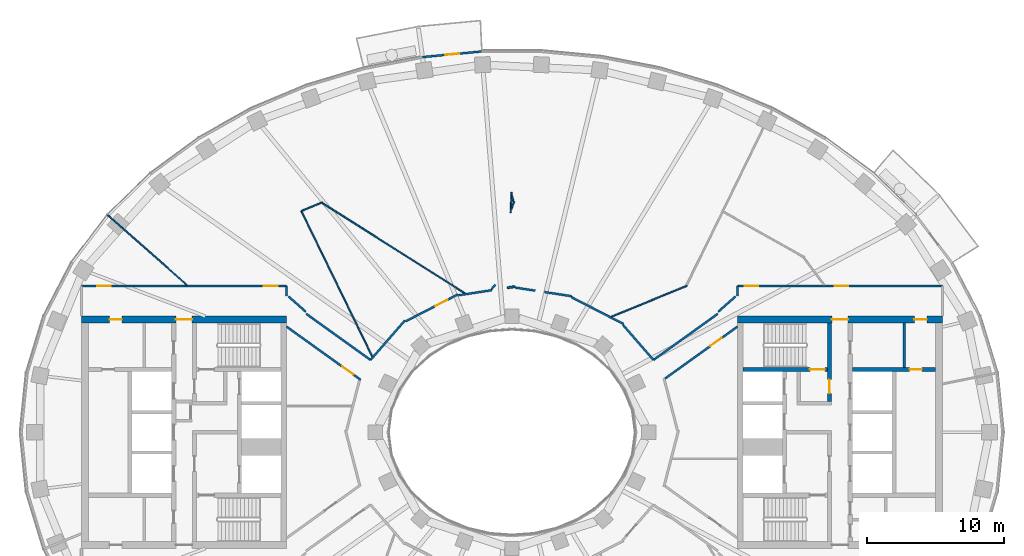
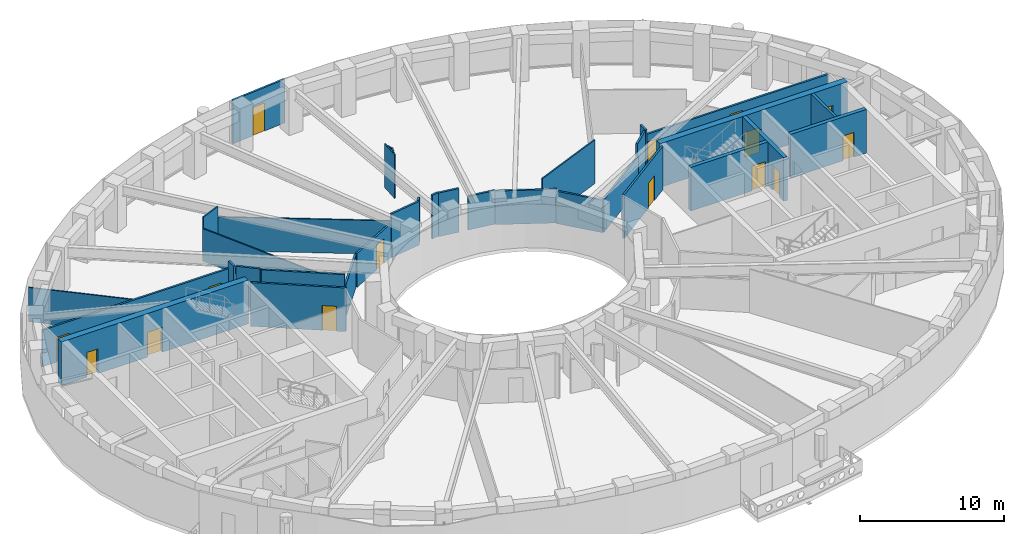
# One storey, part 6 of 16: 34 walls, 15 doors, 15 openings.
"""IFC4 building model written with IfcOpenShell, lengths in metres."""

from ifc_helpers import new_model, si_unit, direction, frame, frame_2d, origin, place, context, subcontext, project, spatial, rectangle, extrude, material, layer, layer_set, type_object, element, fill, save


model = new_model("IFC4")

# Units and contexts
model_context = context("Model", 3, precision=1e-05, world=origin(), true_north=direction((0.0, 1.0)))
body_context = subcontext(model_context, "Body", "Model", "MODEL_VIEW")
ifc_project = project(units=[si_unit("LENGTHUNIT", "METRE"), si_unit("AREAUNIT", "SQUARE_METRE"), si_unit("VOLUMEUNIT", "CUBIC_METRE"), si_unit("PLANEANGLEUNIT", "RADIAN"), si_unit("MASSUNIT", "GRAM", prefix="KILO")], contexts=[model_context])

# Site, building, storey
site_placement = place(None, origin())
site = spatial("IfcSite", under=ifc_project, at=site_placement, CompositionType="ELEMENT")
building_placement = place(site_placement, origin())
building = spatial("IfcBuilding", under=site, at=building_placement, Name="Noorbagh Ring Tower", CompositionType="ELEMENT")
storey_placement = place(building_placement, frame((0.0, 0.0, 186.0)))
storey = spatial("IfcBuildingStorey", under=building, at=storey_placement, Name="L43", CompositionType="ELEMENT", Elevation=186.0)

# Wall
ifc_material_1 = material(Name="Gypsum board on steel studs", Category="steel")
ifc_layer_1 = layer(ifc_material_1, 0.199951171875)
ifc_layer_set_1 = layer_set([ifc_layer_1], Name="Gypsum board on steel studs")
wall_type_1 = type_object("IfcWallType", Name="CORE-PARTITION-200", PredefinedType="PARTITIONING", material=ifc_layer_set_1)
wall_1_placement = place(storey_placement, frame((28.699951171875, 4.75, 0.0), z_axis=(0.0, 0.0, 1.0), x_axis=(0.0, 1.0, 0.0)))
element("IfcWall", 1, at=wall_1_placement, inside=storey, type_object=wall_type_1, Name="Core partition E", PredefinedType="PARTITIONING", context=body_context, shape_type="SweptSolid", body=[
    extrude(rectangle(XDim=3.25, YDim=0.199951171875, at=frame_2d((1.625, 0.0))), origin(), (0.0, 0.0, 1.0), 3.699951171875),
])

# Wall, opening, door
ifc_material_2 = material(Name="Concrete C60/75", Category="concrete")
ifc_layer_2 = layer(ifc_material_2, 0.300048828125)
ifc_layer_set_2 = layer_set([ifc_layer_2], Name="Concrete C60/75")
wall_type_2 = type_object("IfcWallType", Name="CORE-WALL-300-C60-75-EI240", PredefinedType="SHEAR", material=ifc_layer_set_2)
wall_2_placement = place(storey_placement, frame((24.89990234375, 4.60009765625, 0.0), z_axis=(0.0, 0.0, 1.0), x_axis=(1.0, 0.0, 0.0)))
wall_2 = element("IfcWall", 2, at=wall_2_placement, inside=storey, type_object=wall_type_2, Name="Core wall E", PredefinedType="SHEAR", context=body_context, shape_type="SweptSolid", body=[
    extrude(rectangle(XDim=6.10009765625, YDim=0.300048828125, at=frame_2d((3.050048828125, 0.0))), origin(), (0.0, 0.0, 1.0), 3.699951171875),
])
opening_1_placement = place(wall_2_placement, frame((4.199951171875, 0.0, 0.0)))
opening_1 = element("IfcOpeningElement", 3, at=opening_1_placement, cuts=wall_2, Name="Opening L43-CE18", PredefinedType="OPENING", context=body_context, shape_type="SweptSolid", body=[
    extrude(rectangle(XDim=0.89990234375, YDim=2.10009765625, at=frame_2d((0.449951171875, 1.050048828125))), frame((0.0, 0.16015625, 0.0), z_axis=(0.0, -1.0, 0.0), x_axis=(1.0, 0.0, 0.0)), (0.0, 0.0, 1.0), 0.320068359375),
])
ifc_material_3 = material(Name="Steel door leaf", Category="steel")
door_type_1 = type_object("IfcDoorType", Name="CORE-DOOR-DROOM", OperationType="SINGLE_SWING_LEFT", PredefinedType="DOOR", material=ifc_material_3)
door_1_placement = place(opening_1_placement, origin())
door_1 = element("IfcDoor", 4, at=door_1_placement, inside=storey, type_object=door_type_1, Name="Core room door L43-CE18", OperationType="SINGLE_SWING_RIGHT", OverallHeight=2.10009765625, OverallWidth=0.89990234375, PredefinedType="DOOR", context=body_context, shape_type="SweptSolid", body=[
    extrude(rectangle(XDim=0.89990234375, YDim=2.10009765625, at=frame_2d((0.449951171875, 1.050048828125))), frame((0.0, 0.02490234375, 0.0), z_axis=(0.0, -1.0, 0.0), x_axis=(1.0, 0.0, 0.0)), (0.0, 0.0, 1.0), 0.050048828125),
])
fill(opening_1, door_1)

wall_3_placement = place(storey_placement, frame((23.22998046875, 2.25, 0.0), z_axis=(0.0, 0.0, 1.0), x_axis=(0.0, 1.0, 0.0)))
wall_3 = element("IfcWall", 5, at=wall_3_placement, inside=storey, type_object=wall_type_2, Name="Core wall E", PredefinedType="SHEAR", context=body_context, shape_type="SweptSolid", body=[
    extrude(rectangle(XDim=5.75, YDim=0.300048828125, at=frame_2d((2.875, 0.0))), origin(), (0.0, 0.0, 1.0), 3.699951171875),
])
opening_2_placement = place(wall_3_placement, frame((0.60009765625, 0.0, 0.0)))
opening_2 = element("IfcOpeningElement", 6, at=opening_2_placement, cuts=wall_3, Name="Opening L43-CE10", PredefinedType="OPENING", context=body_context, shape_type="SweptSolid", body=[
    extrude(rectangle(XDim=1.0, YDim=2.10009765625, at=frame_2d((0.5, 1.050048828125))), frame((0.0, 0.16015625, 0.0), z_axis=(0.0, -1.0, 0.0), x_axis=(1.0, 0.0, 0.0)), (0.0, 0.0, 1.0), 0.320068359375),
])
ifc_material_4 = material(Name="Steel door leaf", Category="steel")
door_type_2 = type_object("IfcDoorType", Name="CORE-DOOR-DVEST", OperationType="SINGLE_SWING_LEFT", PredefinedType="DOOR", material=ifc_material_4)
door_2_placement = place(opening_2_placement, origin())
door_2 = element("IfcDoor", 7, at=door_2_placement, inside=storey, type_object=door_type_2, Name="Stair vestibule door L43-CE10", OperationType="SINGLE_SWING_RIGHT", OverallHeight=2.10009765625, OverallWidth=1.0, PredefinedType="DOOR", context=body_context, shape_type="SweptSolid", body=[
    extrude(rectangle(XDim=1.0, YDim=2.10009765625, at=frame_2d((0.5, 1.050048828125))), frame((0.0, 0.02490234375, 0.0), z_axis=(0.0, -1.0, 0.0), x_axis=(1.0, 0.0, 0.0)), (0.0, 0.0, 1.0), 0.050048828125),
])
fill(opening_2, door_2)

wall_4_placement = place(storey_placement, frame((16.89990234375, 4.60009765625, 0.0), z_axis=(0.0, 0.0, 1.0), x_axis=(1.0, 0.0, 0.0)))
wall_4 = element("IfcWall", 8, at=wall_4_placement, inside=storey, type_object=wall_type_2, Name="Core wall E", PredefinedType="SHEAR", context=body_context, shape_type="SweptSolid", body=[
    extrude(rectangle(XDim=6.18017578125, YDim=0.300048828125, at=frame_2d((3.090087890625, 0.0))), origin(), (0.0, 0.0, 1.0), 3.699951171875),
])
opening_3_placement = place(wall_4_placement, frame((4.89990234375, 0.0, 0.0)))
opening_3 = element("IfcOpeningElement", 9, at=opening_3_placement, cuts=wall_4, Name="Opening L43-CE07", PredefinedType="OPENING", context=body_context, shape_type="SweptSolid", body=[
    extrude(rectangle(XDim=1.10009765625, YDim=2.10009765625, at=frame_2d((0.550048828125, 1.050048828125))), frame((0.0, 0.16015625, 0.0), z_axis=(0.0, -1.0, 0.0), x_axis=(1.0, 0.0, 0.0)), (0.0, 0.0, 1.0), 0.320068359375),
])
ifc_material_5 = material(Name="Steel door leaf", Category="steel")
door_type_3 = type_object("IfcDoorType", Name="CORE-DOOR-DSTAIR", OperationType="SINGLE_SWING_LEFT", PredefinedType="DOOR", material=ifc_material_5)
door_3_placement = place(opening_3_placement, origin())
door_3 = element("IfcDoor", 10, at=door_3_placement, inside=storey, type_object=door_type_3, Name="Stair door ST3 L43-CE07", OperationType="SINGLE_SWING_LEFT", OverallHeight=2.10009765625, OverallWidth=1.10009765625, PredefinedType="DOOR", context=body_context, shape_type="SweptSolid", body=[
    extrude(rectangle(XDim=1.10009765625, YDim=2.10009765625, at=frame_2d((0.550048828125, 1.050048828125))), frame((0.0, 0.02490234375, 0.0), z_axis=(0.0, -1.0, 0.0), x_axis=(1.0, 0.0, 0.0)), (0.0, 0.0, 1.0), 0.050048828125),
])
fill(opening_3, door_3)

# Wall, openings, doors
ifc_material_6 = material(Name="Concrete C60/75", Category="concrete")
ifc_layer_3 = layer(ifc_material_6, 0.5)
ifc_layer_set_3 = layer_set([ifc_layer_3], Name="Concrete C60/75")
wall_type_3 = type_object("IfcWallType", Name="CORE-WALL-500-C60-75-EI240", PredefinedType="SHEAR", material=ifc_layer_set_3)
wall_5_placement = place(storey_placement, frame((-16.5, 8.25, 0.0), z_axis=(0.0, 0.0, 1.0), x_axis=(-1.0, 0.0, 0.0)))
wall_5 = element("IfcWall", 11, at=wall_5_placement, inside=storey, type_object=wall_type_3, Name="Core wall W", PredefinedType="SHEAR", context=body_context, shape_type="SweptSolid", body=[
    extrude(rectangle(XDim=15.0, YDim=0.5, at=frame_2d((7.5, 0.0))), origin(), (0.0, 0.0, 1.0), 3.699951171875),
])
opening_4_placement = place(wall_5_placement, frame((6.89990234375, 0.0, 0.0)))
opening_4 = element("IfcOpeningElement", 12, at=opening_4_placement, cuts=wall_5, Name="Opening L43-CW10", PredefinedType="OPENING", context=body_context, shape_type="SweptSolid", body=[
    extrude(rectangle(XDim=1.199951171875, YDim=2.10009765625, at=frame_2d((0.60009765625, 1.050048828125))), frame((0.0, 0.260009765625, 0.0), z_axis=(0.0, -1.0, 0.0), x_axis=(1.0, 0.0, 0.0)), (0.0, 0.0, 1.0), 0.52001953125),
])
opening_5_placement = place(wall_5_placement, frame((12.050048828125, 0.0, 0.0)))
opening_5 = element("IfcOpeningElement", 13, at=opening_5_placement, cuts=wall_5, Name="Opening L43-CW13", PredefinedType="OPENING", context=body_context, shape_type="SweptSolid", body=[
    extrude(rectangle(XDim=0.89990234375, YDim=2.10009765625, at=frame_2d((0.449951171875, 1.050048828125))), frame((0.0, 0.260009765625, 0.0), z_axis=(0.0, -1.0, 0.0), x_axis=(1.0, 0.0, 0.0)), (0.0, 0.0, 1.0), 0.52001953125),
])
door_4_placement = place(opening_5_placement, origin())
door_4 = element("IfcDoor", 14, at=door_4_placement, inside=storey, type_object=door_type_1, Name="Core room door L43-CW13", OperationType="SINGLE_SWING_RIGHT", OverallHeight=2.10009765625, OverallWidth=0.89990234375, PredefinedType="DOOR", context=body_context, shape_type="SweptSolid", body=[
    extrude(rectangle(XDim=0.89990234375, YDim=2.10009765625, at=frame_2d((0.449951171875, 1.050048828125))), frame((0.0, 0.02490234375, 0.0), z_axis=(0.0, -1.0, 0.0), x_axis=(1.0, 0.0, 0.0)), (0.0, 0.0, 1.0), 0.050048828125),
])
fill(opening_5, door_4)
ifc_material_7 = material(Name="Steel door leaf", Category="steel")
door_type_4 = type_object("IfcDoorType", Name="CORE-DOOR-PORT", OperationType="DOUBLE_DOOR_DOUBLE_SWING", PredefinedType="DOOR", material=ifc_material_7)
door_5_placement = place(opening_4_placement, origin())
door_5 = element("IfcDoor", 15, at=door_5_placement, inside=storey, type_object=door_type_4, Name="Core entrance door L43-CW10", OperationType="DOUBLE_DOOR_DOUBLE_SWING", OverallHeight=2.10009765625, OverallWidth=1.199951171875, PredefinedType="DOOR", context=body_context, shape_type="SweptSolid", body=[
    extrude(rectangle(XDim=1.199951171875, YDim=2.10009765625, at=frame_2d((0.60009765625, 1.050048828125))), frame((0.0, 0.02490234375, 0.0), z_axis=(0.0, -1.0, 0.0), x_axis=(1.0, 0.0, 0.0)), (0.0, 0.0, 1.0), 0.050048828125),
])
fill(opening_4, door_5)

wall_6_placement = place(storey_placement, frame((16.5, 8.25, 0.0), z_axis=(0.0, 0.0, 1.0), x_axis=(1.0, 0.0, 0.0)))
wall_6 = element("IfcWall", 16, at=wall_6_placement, inside=storey, type_object=wall_type_3, Name="Core wall E", PredefinedType="SHEAR", context=body_context, shape_type="SweptSolid", body=[
    extrude(rectangle(XDim=15.0, YDim=0.5, at=frame_2d((7.5, 0.0))), origin(), (0.0, 0.0, 1.0), 3.699951171875),
])
opening_6_placement = place(wall_6_placement, frame((6.89990234375, 0.0, 0.0)))
opening_6 = element("IfcOpeningElement", 17, at=opening_6_placement, cuts=wall_6, Name="Opening L43-CE11", PredefinedType="OPENING", context=body_context, shape_type="SweptSolid", body=[
    extrude(rectangle(XDim=1.199951171875, YDim=2.10009765625, at=frame_2d((0.60009765625, 1.050048828125))), frame((0.0, 0.260009765625, 0.0), z_axis=(0.0, -1.0, 0.0), x_axis=(1.0, 0.0, 0.0)), (0.0, 0.0, 1.0), 0.52001953125),
])
opening_7_placement = place(wall_6_placement, frame((12.949951171875, 0.0, 0.0)))
opening_7 = element("IfcOpeningElement", 18, at=opening_7_placement, cuts=wall_6, Name="Opening L43-CE14", PredefinedType="OPENING", context=body_context, shape_type="SweptSolid", body=[
    extrude(rectangle(XDim=0.89990234375, YDim=2.10009765625, at=frame_2d((0.449951171875, 1.050048828125))), frame((0.0, 0.260009765625, 0.0), z_axis=(0.0, -1.0, 0.0), x_axis=(1.0, 0.0, 0.0)), (0.0, 0.0, 1.0), 0.52001953125),
])
door_6_placement = place(opening_7_placement, origin())
door_6 = element("IfcDoor", 19, at=door_6_placement, inside=storey, type_object=door_type_1, Name="Core room door L43-CE14", OperationType="SINGLE_SWING_LEFT", OverallHeight=2.10009765625, OverallWidth=0.89990234375, PredefinedType="DOOR", context=body_context, shape_type="SweptSolid", body=[
    extrude(rectangle(XDim=0.89990234375, YDim=2.10009765625, at=frame_2d((0.449951171875, 1.050048828125))), frame((0.0, 0.02490234375, 0.0), z_axis=(0.0, -1.0, 0.0), x_axis=(1.0, 0.0, 0.0)), (0.0, 0.0, 1.0), 0.050048828125),
])
fill(opening_7, door_6)
door_7_placement = place(opening_6_placement, origin())
door_7 = element("IfcDoor", 20, at=door_7_placement, inside=storey, type_object=door_type_4, Name="Core entrance door L43-CE11", OperationType="DOUBLE_DOOR_DOUBLE_SWING", OverallHeight=2.10009765625, OverallWidth=1.199951171875, PredefinedType="DOOR", context=body_context, shape_type="SweptSolid", body=[
    extrude(rectangle(XDim=1.199951171875, YDim=2.10009765625, at=frame_2d((0.60009765625, 1.050048828125))), frame((0.0, 0.02490234375, 0.0), z_axis=(0.0, -1.0, 0.0), x_axis=(1.0, 0.0, 0.0)), (0.0, 0.0, 1.0), 0.050048828125),
])
fill(opening_6, door_7)

ifc_material_8 = material(Name="Gypsum board on steel studs", Category="steel")
ifc_layer_4 = layer(ifc_material_8, 0.14990234375)
ifc_layer_set_4 = layer_set([ifc_layer_4], Name="Gypsum board on steel studs")
wall_type_4 = type_object("IfcWallType", Name="CORRIDOR PARTITION 150 EI 30", PredefinedType="PARTITIONING", material=ifc_layer_set_4)
wall_7_placement = place(storey_placement, frame((-31.5, 10.699951171875, 0.0), z_axis=(0.0, 0.0, 1.0), x_axis=(1.0, 0.0, 0.0)))
wall_7 = element("IfcWall", 21, at=wall_7_placement, inside=storey, type_object=wall_type_4, Name="L43/wall/P06", PredefinedType="PARTITIONING", context=body_context, shape_type="SweptSolid", body=[
    extrude(rectangle(XDim=15.0, YDim=0.14990234375, at=frame_2d((7.5, 0.0))), origin(), (0.0, 0.0, 1.0), 3.10009765625),
])
opening_8_placement = place(wall_7_placement, frame((1.153076171875, 0.0, 0.0)))
opening_8 = element("IfcOpeningElement", 22, at=opening_8_placement, cuts=wall_7, Name="Opening D1", PredefinedType="OPENING", context=body_context, shape_type="SweptSolid", body=[
    extrude(rectangle(XDim=1.0, YDim=2.10009765625, at=frame_2d((0.5, 1.050048828125))), frame((0.0, 0.0849609375, 0.0), z_axis=(0.0, -1.0, 0.0), x_axis=(1.0, 0.0, 0.0)), (0.0, 0.0, 1.0), 0.169921875),
])
opening_9_placement = place(wall_7_placement, frame((13.35009765625, 0.0, 0.0)))
opening_9 = element("IfcOpeningElement", 23, at=opening_9_placement, cuts=wall_7, Name="Opening D1", PredefinedType="OPENING", context=body_context, shape_type="SweptSolid", body=[
    extrude(rectangle(XDim=1.0, YDim=2.10009765625, at=frame_2d((0.5, 1.050048828125))), frame((0.0, 0.0849609375, 0.0), z_axis=(0.0, -1.0, 0.0), x_axis=(1.0, 0.0, 0.0)), (0.0, 0.0, 1.0), 0.169921875),
])
ifc_material_9 = material(Name="Timber, painted", Category="wood")
door_type_5 = type_object("IfcDoorType", Name="DOOR 1000 X 2100 FD30", OperationType="SINGLE_SWING_LEFT", PredefinedType="DOOR", material=ifc_material_9)
door_8_placement = place(opening_8_placement, origin())
door_8 = element("IfcDoor", 24, at=door_8_placement, inside=storey, type_object=door_type_5, Name="L43-D06", OperationType="SINGLE_SWING_RIGHT", OverallHeight=2.10009765625, OverallWidth=1.0, PredefinedType="DOOR", context=body_context, shape_type="SweptSolid", body=[
    extrude(rectangle(XDim=1.0, YDim=2.10009765625, at=frame_2d((0.5, 1.050048828125))), frame((0.0, 0.02490234375, 0.0), z_axis=(0.0, -1.0, 0.0), x_axis=(1.0, 0.0, 0.0)), (0.0, 0.0, 1.0), 0.050048828125),
])
fill(opening_8, door_8)
door_9_placement = place(opening_9_placement, origin())
door_9 = element("IfcDoor", 25, at=door_9_placement, inside=storey, type_object=door_type_5, Name="L43-D07", OperationType="SINGLE_SWING_LEFT", OverallHeight=2.10009765625, OverallWidth=1.0, PredefinedType="DOOR", context=body_context, shape_type="SweptSolid", body=[
    extrude(rectangle(XDim=1.0, YDim=2.10009765625, at=frame_2d((0.5, 1.050048828125))), frame((0.0, 0.02490234375, 0.0), z_axis=(0.0, -1.0, 0.0), x_axis=(1.0, 0.0, 0.0)), (0.0, 0.0, 1.0), 0.050048828125),
])
fill(opening_9, door_9)

# Wall
wall_8_placement = place(storey_placement, frame((-16.5, 9.964111328125, 0.0), z_axis=(0.0, 0.0, 1.0), x_axis=(0.0, 1.0, 0.0)))
element("IfcWall", 26, at=wall_8_placement, inside=storey, type_object=wall_type_4, Name="L43/wall/P21", PredefinedType="PARTITIONING", context=body_context, shape_type="SweptSolid", body=[
    extrude(rectangle(XDim=0.73583984375, YDim=0.14990234375, at=frame_2d((0.367919921875, 0.0))), origin(), (0.0, 0.0, 1.0), 3.699951171875),
])

# Wall, opening, door
wall_9_placement = place(storey_placement, frame((-16.5, 7.739013671875, 0.0), z_axis=(0.0, 0.0, 1.0), x_axis=(0.812415179651, -0.583079390712, 0.0)))
wall_9 = element("IfcWall", 27, at=wall_9_placement, inside=storey, type_object=wall_type_4, Name="L43/wall/P23", PredefinedType="PARTITIONING", context=body_context, shape_type="SweptSolid", body=[
    extrude(rectangle(XDim=6.68017578125, YDim=0.14990234375, at=frame_2d((3.340087890625, 0.0))), origin(), (0.0, 0.0, 1.0), 3.699951171875),
])
opening_10_placement = place(wall_9_placement, frame((5.019287109375, 0.0, 0.0)))
opening_10 = element("IfcOpeningElement", 28, at=opening_10_placement, cuts=wall_9, Name="Opening D1", PredefinedType="OPENING", context=body_context, shape_type="SweptSolid", body=[
    extrude(rectangle(XDim=1.0, YDim=2.10009765625, at=frame_2d((0.5, 1.050048828125))), frame((0.0, 0.0849609375, 0.0), z_axis=(0.0, -1.0, 0.0), x_axis=(1.0, 0.0, 0.0)), (0.0, 0.0, 1.0), 0.169921875),
])
door_10_placement = place(opening_10_placement, origin())
door_10 = element("IfcDoor", 29, at=door_10_placement, inside=storey, type_object=door_type_5, Name="L43-D18", OperationType="SINGLE_SWING_RIGHT", OverallHeight=2.10009765625, OverallWidth=1.0, PredefinedType="DOOR", context=body_context, shape_type="SweptSolid", body=[
    extrude(rectangle(XDim=1.0, YDim=2.10009765625, at=frame_2d((0.5, 1.050048828125))), frame((0.0, 0.02490234375, 0.0), z_axis=(0.0, -1.0, 0.0), x_axis=(1.0, 0.0, 0.0)), (0.0, 0.0, 1.0), 0.050048828125),
])
fill(opening_10, door_10)

# Walls
wall_10_placement = place(storey_placement, frame((-15.06201171875, 8.676025390625, 0.0), z_axis=(0.0, 0.0, 1.0), x_axis=(0.812494026232, -0.582969516645, 0.0)))
element("IfcWall", 30, at=wall_10_placement, inside=storey, type_object=wall_type_4, Name="L43/wall/P27", PredefinedType="PARTITIONING", context=body_context, shape_type="SweptSolid", body=[
    extrude(rectangle(XDim=5.798095703125, YDim=0.14990234375, at=frame_2d((2.89892578125, 0.0))), origin(), (0.0, 0.0, 1.0), 3.699951171875),
])
wall_11_placement = place(storey_placement, frame((-10.35107421875, 5.2958984375, 0.0), z_axis=(0.0, 0.0, 1.0), x_axis=(0.656297424411, 0.754502280124, 0.0)))
element("IfcWall", 31, at=wall_11_placement, inside=storey, type_object=wall_type_4, Name="L43/wall/P33", PredefinedType="PARTITIONING", context=body_context, shape_type="SweptSolid", body=[
    extrude(rectangle(XDim=3.818603515625, YDim=0.14990234375, at=frame_2d((1.9091796875, 0.0))), origin(), (0.0, 0.0, 1.0), 2.75),
])

# Wall, opening, door
wall_12_placement = place(storey_placement, frame((-7.798095703125, 8.115966796875, 0.0), z_axis=(0.0, 0.0, 1.0), x_axis=(0.889319313061, 0.457286736542, 0.0)))
wall_12 = element("IfcWall", 32, at=wall_12_placement, inside=storey, type_object=wall_type_4, Name="L43/wall/P35", PredefinedType="PARTITIONING", context=body_context, shape_type="SweptSolid", body=[
    extrude(rectangle(XDim=4.3212890625, YDim=0.14990234375, at=frame_2d((2.16064453125, 0.0))), origin(), (0.0, 0.0, 1.0), 2.85009765625),
])
opening_11_placement = place(wall_12_placement, frame((2.45654296875, 0.0, 0.0)))
opening_11 = element("IfcOpeningElement", 33, at=opening_11_placement, cuts=wall_12, Name="Opening D1", PredefinedType="OPENING", context=body_context, shape_type="SweptSolid", body=[
    extrude(rectangle(XDim=1.0, YDim=2.10009765625, at=frame_2d((0.5, 1.050048828125))), frame((0.0, 0.0849609375, 0.0), z_axis=(0.0, -1.0, 0.0), x_axis=(1.0, 0.0, 0.0)), (0.0, 0.0, 1.0), 0.169921875),
])
door_11_placement = place(opening_11_placement, origin())
door_11 = element("IfcDoor", 34, at=door_11_placement, inside=storey, type_object=door_type_5, Name="L43-D09", OperationType="SINGLE_SWING_LEFT", OverallHeight=2.10009765625, OverallWidth=1.0, PredefinedType="DOOR", context=body_context, shape_type="SweptSolid", body=[
    extrude(rectangle(XDim=1.0, YDim=2.10009765625, at=frame_2d((0.5, 1.050048828125))), frame((0.0, 0.02490234375, 0.0), z_axis=(0.0, -1.0, 0.0), x_axis=(1.0, 0.0, 0.0)), (0.0, 0.0, 1.0), 0.050048828125),
])
fill(opening_11, door_11)

# Walls
wall_13_placement = place(storey_placement, frame((-3.93408203125, 10.02587890625, 0.0), z_axis=(0.0, 0.0, 1.0), x_axis=(0.988472049128, 0.151403461297, 0.0)))
element("IfcWall", 35, at=wall_13_placement, inside=storey, type_object=wall_type_4, Name="L43/wall/P37", PredefinedType="PARTITIONING", context=body_context, shape_type="SweptSolid", body=[
    extrude(rectangle(XDim=2.497802734375, YDim=0.14990234375, at=frame_2d((1.2490234375, 0.0))), origin(), (0.0, 0.0, 1.0), 3.699951171875),
])
wall_14_placement = place(storey_placement, frame((-1.50390625, 10.47412109375, 0.0), z_axis=(0.0, 0.0, 1.0), x_axis=(0.646114775059, 0.763240261942, 0.0)))
element("IfcWall", 36, at=wall_14_placement, inside=storey, type_object=wall_type_4, Name="L43/wall/P39", PredefinedType="PARTITIONING", context=body_context, shape_type="SweptSolid", body=[
    extrude(rectangle(XDim=0.444091796875, YDim=0.14990234375, at=frame_2d((0.22216796875, 0.0))), origin(), (0.0, 0.0, 1.0), 3.699951171875),
])
wall_15_placement = place(storey_placement, frame((-0.339111328125, 10.576904296875, 0.0), z_axis=(0.0, 0.0, 1.0), x_axis=(0.988583405182, 0.150674652806, 0.0)))
element("IfcWall", 37, at=wall_15_placement, inside=storey, type_object=wall_type_4, Name="L43/wall/P41", PredefinedType="PARTITIONING", context=body_context, shape_type="SweptSolid", body=[
    extrude(rectangle(XDim=0.557373046875, YDim=0.14990234375, at=frame_2d((0.27880859375, 0.0))), origin(), (0.0, 0.0, 1.0), 3.699951171875),
])
wall_16_placement = place(storey_placement, frame((0.2119140625, 10.596923828125, 0.0), z_axis=(0.0, 0.0, 1.0), x_axis=(0.988394154216, -0.15191114479, 0.0)))
element("IfcWall", 38, at=wall_16_placement, inside=storey, type_object=wall_type_4, Name="L43/wall/P46", PredefinedType="PARTITIONING", context=body_context, shape_type="SweptSolid", body=[
    extrude(rectangle(XDim=1.507568359375, YDim=0.14990234375, at=frame_2d((0.75390625, 0.0))), origin(), (0.0, 0.0, 1.0), 3.699951171875),
])
wall_17_placement = place(storey_placement, frame((2.376953125, 10.264892578125, 0.0), z_axis=(0.0, 0.0, 1.0), x_axis=(0.988505113573, -0.151187434797, 0.0)))
element("IfcWall", 39, at=wall_17_placement, inside=storey, type_object=wall_type_4, Name="L43/wall/P49", PredefinedType="PARTITIONING", context=body_context, shape_type="SweptSolid", body=[
    extrude(rectangle(XDim=2.00390625, YDim=0.14990234375, at=frame_2d((1.001953125, 0.0))), origin(), (0.0, 0.0, 1.0), 2.85009765625),
])
wall_18_placement = place(storey_placement, frame((4.3369140625, 9.89599609375, 0.0), z_axis=(0.0, 0.0, 1.0), x_axis=(0.889382211946, -0.457164391739, 0.0)))
element("IfcWall", 40, at=wall_18_placement, inside=storey, type_object=wall_type_4, Name="L43/wall/P52", PredefinedType="PARTITIONING", context=body_context, shape_type="SweptSolid", body=[
    extrude(rectangle(XDim=4.29638671875, YDim=0.14990234375, at=frame_2d((2.148193359375, 0.0))), origin(), (0.0, 0.0, 1.0), 2.85009765625),
])
wall_19_placement = place(storey_placement, frame((8.111083984375, 7.87109375, 0.0), z_axis=(0.0, 0.0, 1.0), x_axis=(0.656293818527, -0.754505416656, 0.0)))
element("IfcWall", 41, at=wall_19_placement, inside=storey, type_object=wall_type_4, Name="L43/wall/P56", PredefinedType="PARTITIONING", context=body_context, shape_type="SweptSolid", body=[
    extrude(rectangle(XDim=3.4130859375, YDim=0.14990234375, at=frame_2d((1.70654296875, 0.0))), origin(), (0.0, 0.0, 1.0), 2.75),
])
wall_20_placement = place(storey_placement, frame((10.35107421875, 5.2958984375, 0.0), z_axis=(0.0, 0.0, 1.0), x_axis=(0.812494026232, 0.582969516645, 0.0)))
element("IfcWall", 42, at=wall_20_placement, inside=storey, type_object=wall_type_4, Name="L43/wall/P58", PredefinedType="PARTITIONING", context=body_context, shape_type="SweptSolid", body=[
    extrude(rectangle(XDim=5.798095703125, YDim=0.14990234375, at=frame_2d((2.89892578125, 0.0))), origin(), (0.0, 0.0, 1.0), 2.75),
])

# Wall, opening, door
wall_21_placement = place(storey_placement, frame((11.202880859375, 3.93798828125, 0.0), z_axis=(0.0, 0.0, 1.0), x_axis=(0.812471543061, 0.583000850528, 0.0)))
wall_21 = element("IfcWall", 43, at=wall_21_placement, inside=storey, type_object=wall_type_4, Name="L43/wall/P62", PredefinedType="PARTITIONING", context=body_context, shape_type="SweptSolid", body=[
    extrude(rectangle(XDim=6.519775390625, YDim=0.14990234375, at=frame_2d((3.259765625, 0.0))), origin(), (0.0, 0.0, 1.0), 3.699951171875),
])
opening_12_placement = place(wall_21_placement, frame((4.06982421875, 0.0, 0.0)))
opening_12 = element("IfcOpeningElement", 44, at=opening_12_placement, cuts=wall_21, Name="Opening D1", PredefinedType="OPENING", context=body_context, shape_type="SweptSolid", body=[
    extrude(rectangle(XDim=1.0, YDim=2.10009765625, at=frame_2d((0.5, 1.050048828125))), frame((0.0, 0.0849609375, 0.0), z_axis=(0.0, -1.0, 0.0), x_axis=(1.0, 0.0, 0.0)), (0.0, 0.0, 1.0), 0.169921875),
])
door_12_placement = place(opening_12_placement, origin())
door_12 = element("IfcDoor", 45, at=door_12_placement, inside=storey, type_object=door_type_5, Name="L43-D20", OperationType="SINGLE_SWING_RIGHT", OverallHeight=2.10009765625, OverallWidth=1.0, PredefinedType="DOOR", context=body_context, shape_type="SweptSolid", body=[
    extrude(rectangle(XDim=1.0, YDim=2.10009765625, at=frame_2d((0.5, 1.050048828125))), frame((0.0, 0.02490234375, 0.0), z_axis=(0.0, -1.0, 0.0), x_axis=(1.0, 0.0, 0.0)), (0.0, 0.0, 1.0), 0.050048828125),
])
fill(opening_12, door_12)

# Wall
wall_22_placement = place(storey_placement, frame((16.5, 9.964111328125, 0.0), z_axis=(0.0, 0.0, 1.0), x_axis=(0.0, 1.0, 0.0)))
element("IfcWall", 46, at=wall_22_placement, inside=storey, type_object=wall_type_4, Name="L43/wall/P69", PredefinedType="PARTITIONING", context=body_context, shape_type="SweptSolid", body=[
    extrude(rectangle(XDim=0.73583984375, YDim=0.14990234375, at=frame_2d((0.367919921875, 0.0))), origin(), (0.0, 0.0, 1.0), 3.699951171875),
])

# Wall, openings, doors
wall_23_placement = place(storey_placement, frame((16.5, 10.699951171875, 0.0), z_axis=(0.0, 0.0, 1.0), x_axis=(1.0, 0.0, 0.0)))
wall_23 = element("IfcWall", 47, at=wall_23_placement, inside=storey, type_object=wall_type_4, Name="L43/wall/P70", PredefinedType="PARTITIONING", context=body_context, shape_type="SweptSolid", body=[
    extrude(rectangle(XDim=15.0, YDim=0.14990234375, at=frame_2d((7.5, 0.0))), origin(), (0.0, 0.0, 1.0), 2.75),
])
opening_13_placement = place(wall_23_placement, frame((0.51708984375, 0.0, 0.0)))
opening_13 = element("IfcOpeningElement", 48, at=opening_13_placement, cuts=wall_23, Name="Opening D1", PredefinedType="OPENING", context=body_context, shape_type="SweptSolid", body=[
    extrude(rectangle(XDim=1.0, YDim=2.10009765625, at=frame_2d((0.5, 1.050048828125))), frame((0.0, 0.0849609375, 0.0), z_axis=(0.0, -1.0, 0.0), x_axis=(1.0, 0.0, 0.0)), (0.0, 0.0, 1.0), 0.169921875),
])
opening_14_placement = place(wall_23_placement, frame((7.10009765625, 0.0, 0.0)))
opening_14 = element("IfcOpeningElement", 49, at=opening_14_placement, cuts=wall_23, Name="Opening D1", PredefinedType="OPENING", context=body_context, shape_type="SweptSolid", body=[
    extrude(rectangle(XDim=1.0, YDim=2.10009765625, at=frame_2d((0.5, 1.050048828125))), frame((0.0, 0.0849609375, 0.0), z_axis=(0.0, -1.0, 0.0), x_axis=(1.0, 0.0, 0.0)), (0.0, 0.0, 1.0), 0.169921875),
])
door_13_placement = place(opening_13_placement, origin())
door_13 = element("IfcDoor", 50, at=door_13_placement, inside=storey, type_object=door_type_5, Name="L43-D12", OperationType="SINGLE_SWING_RIGHT", OverallHeight=2.10009765625, OverallWidth=1.0, PredefinedType="DOOR", context=body_context, shape_type="SweptSolid", body=[
    extrude(rectangle(XDim=1.0, YDim=2.10009765625, at=frame_2d((0.5, 1.050048828125))), frame((0.0, 0.02490234375, 0.0), z_axis=(0.0, -1.0, 0.0), x_axis=(1.0, 0.0, 0.0)), (0.0, 0.0, 1.0), 0.050048828125),
])
fill(opening_13, door_13)
door_14_placement = place(opening_14_placement, origin())
door_14 = element("IfcDoor", 51, at=door_14_placement, inside=storey, type_object=door_type_5, Name="L43-D14", OperationType="SINGLE_SWING_RIGHT", OverallHeight=2.10009765625, OverallWidth=1.0, PredefinedType="DOOR", context=body_context, shape_type="SweptSolid", body=[
    extrude(rectangle(XDim=1.0, YDim=2.10009765625, at=frame_2d((0.5, 1.050048828125))), frame((0.0, 0.02490234375, 0.0), z_axis=(0.0, -1.0, 0.0), x_axis=(1.0, 0.0, 0.0)), (0.0, 0.0, 1.0), 0.050048828125),
])
fill(opening_14, door_14)

# Walls
for number, where, z_axis, x_axis, name in (
    (52, (-16.35205078125, 9.94189453125, 0.0), (0.0, 0.0, 1.0), (0.749107006374, -0.662449011624, 0.0), "L43/wall/P79"),
    (53, (15.087890625, 8.823974609375, 0.0), (0.0, 0.0, 1.0), (0.749107006374, 0.662449011624, 0.0), "L43/wall/P81"),
):
    element("IfcWall", number, at=place(storey_placement, frame(where, z_axis=z_axis, x_axis=x_axis)), inside=storey, type_object=wall_type_4, Name=name, PredefinedType="PARTITIONING", context=body_context, shape_type="SweptSolid", body=[
        extrude(rectangle(XDim=1.6875, YDim=0.14990234375, at=frame_2d((0.84375, 0.0))), origin(), (0.0, 0.0, 1.0), 3.699951171875),
    ])

# Wall, opening, door
ifc_material_10 = material(Name="Insulated aluminium clad panel", Category="aluminium")
ifc_layer_5 = layer(ifc_material_10, 0.14990234375)
ifc_layer_set_5 = layer_set([ifc_layer_5], Name="Insulated aluminium clad panel")
wall_type_5 = type_object("IfcWallType", Name="ENV-WALL-DOOR", PredefinedType="STANDARD", material=ifc_layer_set_5)
wall_24_placement = place(storey_placement, frame((-2.166259765625, 27.875244140625, 0.0), z_axis=(0.0, 0.0, 1.0), x_axis=(-0.995473879823, -0.095035543824, 0.0)))
wall_24 = element("IfcWall", 54, at=wall_24_placement, inside=storey, type_object=wall_type_5, Name="Balcony door wall chord 13", PredefinedType="STANDARD", context=body_context, shape_type="SweptSolid", body=[
    extrude(rectangle(XDim=4.42626953125, YDim=0.14990234375, at=frame_2d((2.213134765625, 0.0))), origin(), (0.0, 0.0, 1.0), 3.699951171875),
])
opening_15_placement = place(wall_24_placement, frame((1.713134765625, 0.0, 0.0)))
opening_15 = element("IfcOpeningElement", 55, at=opening_15_placement, cuts=wall_24, Name="Opening D-BL", PredefinedType="OPENING", context=body_context, shape_type="SweptSolid", body=[
    extrude(rectangle(XDim=1.0, YDim=2.39990234375, at=frame_2d((0.5, 1.199951171875))), frame((0.0, 0.0849609375, 0.0), z_axis=(0.0, -1.0, 0.0), x_axis=(1.0, 0.0, 0.0)), (0.0, 0.0, 1.0), 0.169921875),
])
ifc_material_11 = material(Name="Aluminium and glass", Category="aluminium")
door_type_6 = type_object("IfcDoorType", Name="ENV-DOOR-BALCONY", OperationType="SINGLE_SWING_LEFT", PredefinedType="DOOR", material=ifc_material_11)
door_15_placement = place(opening_15_placement, origin())
door_15 = element("IfcDoor", 56, at=door_15_placement, inside=storey, type_object=door_type_6, Name="Balcony door chord 13", OperationType="SINGLE_SWING_RIGHT", OverallHeight=2.39990234375, OverallWidth=1.0, PredefinedType="DOOR", context=body_context, shape_type="SweptSolid", body=[
    extrude(rectangle(XDim=1.0, YDim=2.39990234375, at=frame_2d((0.5, 1.199951171875))), frame((0.0, 0.02490234375, 0.0), z_axis=(0.0, -1.0, 0.0), x_axis=(1.0, 0.0, 0.0)), (0.0, 0.0, 1.0), 0.050048828125),
])
fill(opening_15, door_15)

# Walls
ifc_material_12 = material(Name="Gypsum board on steel studs", Category="steel")
ifc_layer_6 = layer(ifc_material_12, 0.10009765625)
ifc_layer_set_6 = layer_set([ifc_layer_6], Name="Gypsum board on steel studs")
wall_type_6 = type_object("IfcWallType", Name="PARTITION 100 GYPSUM", PredefinedType="PARTITIONING", material=ifc_layer_set_6)
wall_25_placement = place(storey_placement, frame((-29.569091796875, 15.89501953125, 0.0), z_axis=(0.0, 0.0, 1.0), x_axis=(0.748985701008, -0.662586160198, 0.0)))
element("IfcWall", 57, at=wall_25_placement, inside=storey, type_object=wall_type_6, Name="L43/wall/P07", PredefinedType="PARTITIONING", context=body_context, shape_type="SweptSolid", body=[
    extrude(rectangle(XDim=7.72265625, YDim=0.10009765625, at=frame_2d((3.861328125, 0.0))), origin(), (0.0, 0.0, 1.0), 2.89990234375),
])
wall_26_placement = place(storey_placement, frame((-15.4189453125, 16.18603515625, 0.0), z_axis=(0.0, 0.0, 1.0), x_axis=(0.921344605896, 0.38874685489, 0.0)))
element("IfcWall", 58, at=wall_26_placement, inside=storey, type_object=wall_type_6, Name="L43/wall/P24", PredefinedType="PARTITIONING", context=body_context, shape_type="SweptSolid", body=[
    extrude(rectangle(XDim=1.6767578125, YDim=0.10009765625, at=frame_2d((0.83837890625, 0.0))), origin(), (0.0, 0.0, 1.0), 3.699951171875),
])
wall_27_placement = place(storey_placement, frame((-15.4189453125, 16.18603515625, 0.0), z_axis=(0.0, 0.0, 1.0), x_axis=(0.439169404081, -0.898404271205, 0.0)))
element("IfcWall", 59, at=wall_27_placement, inside=storey, type_object=wall_type_6, Name="L43/wall/P25", PredefinedType="PARTITIONING", context=body_context, shape_type="SweptSolid", body=[
    extrude(rectangle(XDim=11.826416015625, YDim=0.10009765625, at=frame_2d((5.9130859375, 0.0))), origin(), (0.0, 0.0, 1.0), 2.75),
])
wall_28_placement = place(storey_placement, frame((-13.87890625, 16.781005859375, 0.0), z_axis=(0.0, 0.0, 1.0), x_axis=(0.844868843797, -0.534973491662, 0.0)))
element("IfcWall", 60, at=wall_28_placement, inside=storey, type_object=wall_type_6, Name="L43/wall/P29", PredefinedType="PARTITIONING", context=body_context, shape_type="SweptSolid", body=[
    extrude(rectangle(XDim=12.3427734375, YDim=0.10009765625, at=frame_2d((6.17138671875, 0.0))), origin(), (0.0, 0.0, 1.0), 2.85009765625),
])
wall_29_placement = place(storey_placement, frame((-0.097900390625, 16.072998046875, 0.0), z_axis=(0.0, 0.0, 1.0), x_axis=(0.048185988923, 0.998838380556, 0.0)))
element("IfcWall", 61, at=wall_29_placement, inside=storey, type_object=wall_type_6, Name="L43/wall/P42", PredefinedType="PARTITIONING", context=body_context, shape_type="SweptSolid", body=[
    extrude(rectangle(XDim=1.49462890625, YDim=0.10009765625, at=frame_2d((0.747314453125, 0.0))), origin(), (0.0, 0.0, 1.0), 3.699951171875),
])
wall_30_placement = place(storey_placement, frame((-0.0419921875, 16.35009765625, 0.0), z_axis=(0.0, 0.0, 1.0), x_axis=(0.339445104011, 0.940625866837, 0.0)))
element("IfcWall", 62, at=wall_30_placement, inside=storey, type_object=wall_type_6, Name="L43/wall/P43", PredefinedType="PARTITIONING", context=body_context, shape_type="SweptSolid", body=[
    extrude(rectangle(XDim=0.57177734375, YDim=0.10009765625, at=frame_2d((0.285888671875, 0.0))), origin(), (0.0, 0.0, 1.0), 3.699951171875),
])
wall_31_placement = place(storey_placement, frame((0.001953125, 17.283935546875, 0.0), z_axis=(0.0, 0.0, 1.0), x_axis=(0.240121592304, -0.970742819139, 0.0)))
element("IfcWall", 63, at=wall_31_placement, inside=storey, type_object=wall_type_6, Name="L43/wall/P44", PredefinedType="PARTITIONING", context=body_context, shape_type="SweptSolid", body=[
    extrude(rectangle(XDim=0.404541015625, YDim=0.10009765625, at=frame_2d((0.2021484375, 0.0))), origin(), (0.0, 0.0, 1.0), 3.699951171875),
])
wall_32_placement = place(storey_placement, frame((7.282958984375, 8.464111328125, 0.0), z_axis=(0.0, 0.0, 1.0), x_axis=(0.925453089517, 0.378862216516, 0.0)))
element("IfcWall", 64, at=wall_32_placement, inside=storey, type_object=wall_type_6, Name="L43/wall/P54", PredefinedType="PARTITIONING", context=body_context, shape_type="SweptSolid", body=[
    extrude(rectangle(XDim=5.9677734375, YDim=0.10009765625, at=frame_2d((2.98388671875, 0.0))), origin(), (0.0, 0.0, 1.0), 3.699951171875),
])

save(model, "model.ifc")
